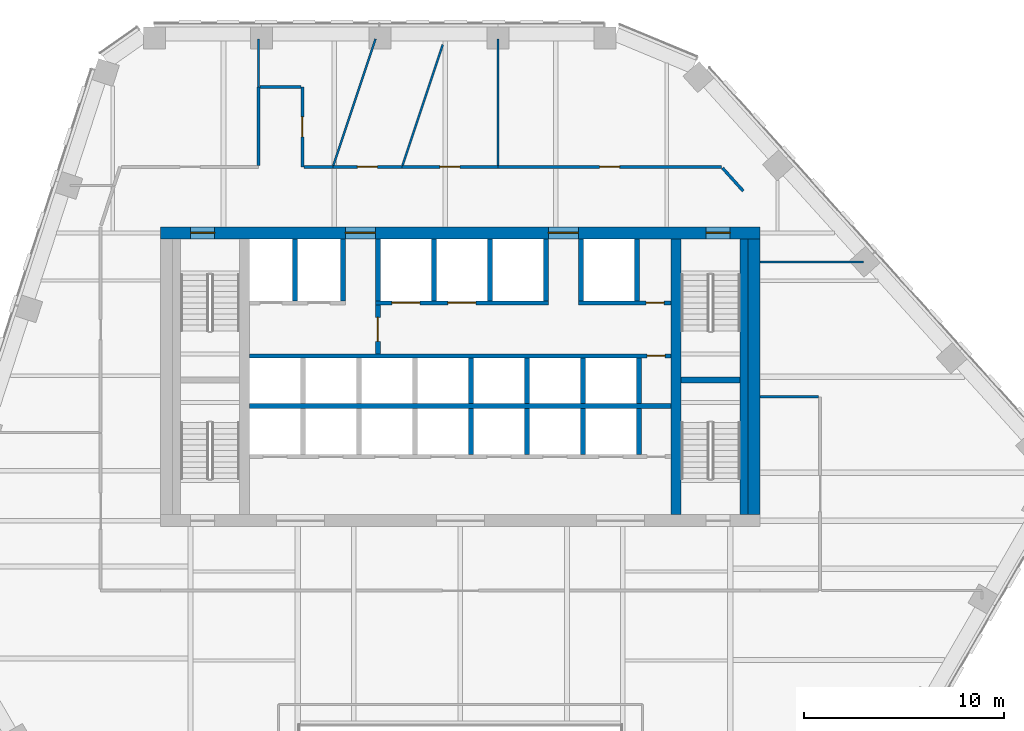
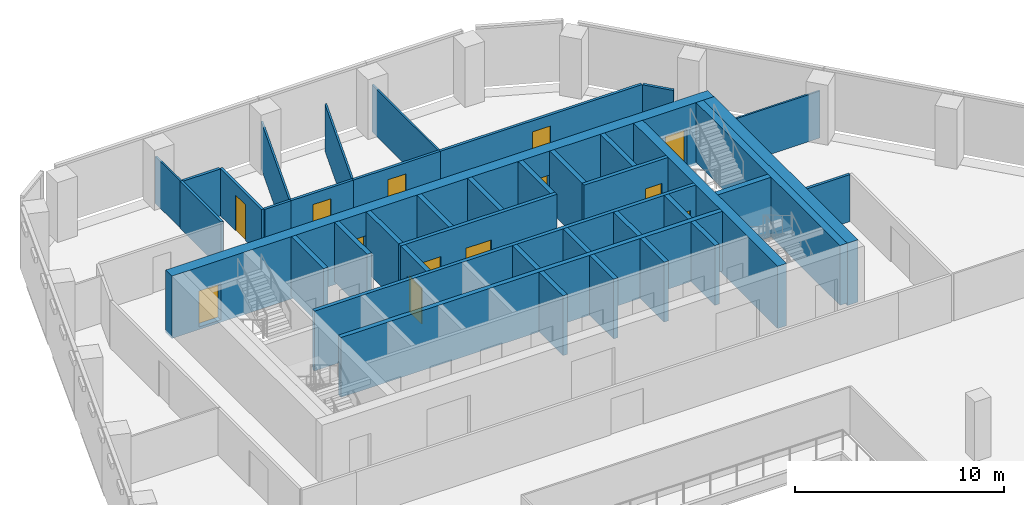
# One storey, part 10 of 16: 40 walls, 13 doors, 13 openings.
"""IFC4 building model written with IfcOpenShell, lengths in metres."""

from ifc_helpers import new_model, si_unit, direction, frame, frame_2d, origin, place, context, subcontext, project, spatial, rectangle, extrude, material, layer, layer_set, type_object, element, fill, save


model = new_model("IFC4")

# Units and contexts
model_context = context("Model", 3, precision=1e-05, world=origin(), true_north=direction((0.0, 1.0)))
body_context = subcontext(model_context, "Body", "Model", "MODEL_VIEW")
ifc_project = project(units=[si_unit("LENGTHUNIT", "METRE"), si_unit("AREAUNIT", "SQUARE_METRE"), si_unit("VOLUMEUNIT", "CUBIC_METRE"), si_unit("PLANEANGLEUNIT", "RADIAN"), si_unit("MASSUNIT", "GRAM", prefix="KILO")], contexts=[model_context])

# Site, building, storey
site_placement = place(None, origin())
site = spatial("IfcSite", under=ifc_project, at=site_placement, CompositionType="ELEMENT")
building_placement = place(site_placement, origin())
building = spatial("IfcBuilding", under=site, at=building_placement, Name="Isthmus Gate Tower", CompositionType="ELEMENT")
storey_placement = place(building_placement, frame((0.0, 0.0, 216.300048828125)))
storey = spatial("IfcBuildingStorey", under=building, at=storey_placement, Name="L54", CompositionType="ELEMENT", Elevation=216.300048828125)

# Wall, opening, door
ifc_material_1 = material(Name="Gypsum board on steel studs, fire-rated", Category="steel")
ifc_layer_1 = layer(ifc_material_1, 0.14990234375)
ifc_layer_set_1 = layer_set([ifc_layer_1], Name="CORRIDOR WALL 150 60 MIN")
wall_type_1 = type_object("IfcWallType", Name="CORRIDOR WALL 150 60 MIN", PredefinedType="PARTITIONING", material=ifc_layer_set_1)
wall_1_placement = place(storey_placement, frame((-7.89990234375, 22.0, 0.0), z_axis=(0.0, 0.0, 1.0), x_axis=(0.0, -1.0, 0.0)))
wall_1 = element("IfcWall", 1, at=wall_1_placement, inside=storey, type_object=wall_type_1, Name="L54 Corridor Wall 150 60 Min", PredefinedType="PARTITIONING", context=body_context, shape_type="SweptSolid", body=[
    extrude(rectangle(XDim=4.0, YDim=0.14990234375, at=frame_2d((2.0, 0.0))), origin(), (0.0, 0.0, 1.0), 2.750732421875),
])
opening_1_placement = place(wall_1_placement, frame((1.5, 0.0, 0.0)))
opening_1 = element("IfcOpeningElement", 2, at=opening_1_placement, cuts=wall_1, Name="Opening DT-T5A-09", PredefinedType="OPENING", context=body_context, shape_type="SweptSolid", body=[
    extrude(rectangle(XDim=1.0, YDim=2.10009765625, at=frame_2d((0.5, 1.050048828125))), frame((0.0, 0.0849609375, 0.0), z_axis=(0.0, -1.0, 0.0), x_axis=(1.0, 0.0, 0.0)), (0.0, 0.0, 1.0), 0.169921875),
])
ifc_material_2 = material(Name="Solid core timber door leaf, fire-rated", Category="wood")
door_type_1 = type_object("IfcDoorType", Name="FIRE DOOR ROOM 1000 X 2100 60 MIN", OperationType="SINGLE_SWING_LEFT", PredefinedType="DOOR", material=ifc_material_2)
door_1_placement = place(opening_1_placement, origin())
door_1 = element("IfcDoor", 3, at=door_1_placement, inside=storey, type_object=door_type_1, Name="L54 room door", OperationType="SINGLE_SWING_RIGHT", OverallHeight=2.10009765625, OverallWidth=1.0, PredefinedType="DOOR", context=body_context, shape_type="SweptSolid", body=[
    extrude(rectangle(XDim=1.0, YDim=2.10009765625, at=frame_2d((0.5, 1.050048828125))), frame((0.0, 0.02490234375, 0.0), z_axis=(0.0, -1.0, 0.0), x_axis=(1.0, 0.0, 0.0)), (0.0, 0.0, 1.0), 0.050048828125),
])
fill(opening_1, door_1)

# Wall
wall_2_placement = place(storey_placement, frame((-10.10009765625, 18.074951171875, 0.0), z_axis=(0.0, 0.0, 1.0), x_axis=(0.0, 1.0, 0.0)))
element("IfcWall", 4, at=wall_2_placement, inside=storey, type_object=wall_type_1, Name="L54 Corridor Wall 150 60 Min", PredefinedType="PARTITIONING", context=body_context, shape_type="SweptSolid", body=[
    extrude(rectangle(XDim=3.925048828125, YDim=0.14990234375, at=frame_2d((1.96240234375, 0.0))), origin(), (0.0, 0.0, 1.0), 2.750732421875),
])

# Wall, opening, door
wall_3_placement = place(storey_placement, frame((1.881103515625, 18.0, 0.0), z_axis=(0.0, 0.0, 1.0), x_axis=(1.0, 0.0, 0.0)))
wall_3 = element("IfcWall", 5, at=wall_3_placement, inside=storey, type_object=wall_type_1, Name="L54 Corridor Wall 150 60 Min", PredefinedType="PARTITIONING", context=body_context, shape_type="SweptSolid", body=[
    extrude(rectangle(XDim=11.183837890625, YDim=0.14990234375, at=frame_2d((5.591796875, 0.0))), origin(), (0.0, 0.0, 1.0), 2.750732421875),
])
opening_2_placement = place(wall_3_placement, frame((5.092041015625, 0.0, 0.0)))
opening_2 = element("IfcOpeningElement", 6, at=opening_2_placement, cuts=wall_3, Name="Opening DT-T5A-02", PredefinedType="OPENING", context=body_context, shape_type="SweptSolid", body=[
    extrude(rectangle(XDim=1.0, YDim=2.10009765625, at=frame_2d((0.5, 1.050048828125))), frame((0.0, 0.0849609375, 0.0), z_axis=(0.0, -1.0, 0.0), x_axis=(1.0, 0.0, 0.0)), (0.0, 0.0, 1.0), 0.169921875),
])
door_2_placement = place(opening_2_placement, origin())
door_2 = element("IfcDoor", 7, at=door_2_placement, inside=storey, type_object=door_type_1, Name="L54 room door", OperationType="SINGLE_SWING_RIGHT", OverallHeight=2.10009765625, OverallWidth=1.0, PredefinedType="DOOR", context=body_context, shape_type="SweptSolid", body=[
    extrude(rectangle(XDim=1.0, YDim=2.10009765625, at=frame_2d((0.5, 1.050048828125))), frame((0.0, 0.02490234375, 0.0), z_axis=(0.0, -1.0, 0.0), x_axis=(1.0, 0.0, 0.0)), (0.0, 0.0, 1.0), 0.050048828125),
])
fill(opening_2, door_2)

# Walls
wall_4_placement = place(storey_placement, frame((13.115234375, 17.9443359375, 0.0), z_axis=(0.0, 0.0, 1.0), x_axis=(0.669270047653, -0.74301924828, 0.0)))
element("IfcWall", 8, at=wall_4_placement, inside=storey, type_object=wall_type_1, Name="L54 Corridor Wall 150 60 Min", PredefinedType="PARTITIONING", context=body_context, shape_type="SweptSolid", body=[
    extrude(rectangle(XDim=1.5458984375, YDim=0.14990234375, at=frame_2d((0.77294921875, 0.0))), origin(), (0.0, 0.0, 1.0), 2.750732421875),
])
wall_5_placement = place(storey_placement, frame((15.0, 6.5, 0.0), z_axis=(0.0, 0.0, 1.0), x_axis=(1.0, 0.0, 0.0)))
element("IfcWall", 9, at=wall_5_placement, inside=storey, type_object=wall_type_1, Name="L54 Corridor Wall 150 60 Min", PredefinedType="PARTITIONING", context=body_context, shape_type="SweptSolid", body=[
    extrude(rectangle(XDim=2.925048828125, YDim=0.14990234375, at=frame_2d((1.46240234375, 0.0))), origin(), (0.0, 0.0, 1.0), 2.750732421875),
])

# Wall, opening, door
wall_6_placement = place(storey_placement, frame((-2.919921875, 18.0, 0.0), z_axis=(0.0, 0.0, 1.0), x_axis=(1.0, 0.0, 0.0)))
wall_6 = element("IfcWall", 10, at=wall_6_placement, inside=storey, type_object=wall_type_1, Name="L54 Corridor Wall 150 60 Min", PredefinedType="PARTITIONING", context=body_context, shape_type="SweptSolid", body=[
    extrude(rectangle(XDim=4.801025390625, YDim=0.14990234375, at=frame_2d((2.400390625, 0.0))), origin(), (0.0, 0.0, 1.0), 2.750732421875),
])
opening_3_placement = place(wall_6_placement, frame((1.900390625, 0.0, 0.0)))
opening_3 = element("IfcOpeningElement", 11, at=opening_3_placement, cuts=wall_6, Name="Opening DT-T5A-07", PredefinedType="OPENING", context=body_context, shape_type="SweptSolid", body=[
    extrude(rectangle(XDim=1.0, YDim=2.10009765625, at=frame_2d((0.5, 1.050048828125))), frame((0.0, 0.0849609375, 0.0), z_axis=(0.0, -1.0, 0.0), x_axis=(1.0, 0.0, 0.0)), (0.0, 0.0, 1.0), 0.169921875),
])
door_3_placement = place(opening_3_placement, origin())
door_3 = element("IfcDoor", 12, at=door_3_placement, inside=storey, type_object=door_type_1, Name="L54 room door", OperationType="SINGLE_SWING_RIGHT", OverallHeight=2.10009765625, OverallWidth=1.0, PredefinedType="DOOR", context=body_context, shape_type="SweptSolid", body=[
    extrude(rectangle(XDim=1.0, YDim=2.10009765625, at=frame_2d((0.5, 1.050048828125))), frame((0.0, 0.02490234375, 0.0), z_axis=(0.0, -1.0, 0.0), x_axis=(1.0, 0.0, 0.0)), (0.0, 0.0, 1.0), 0.050048828125),
])
fill(opening_3, door_3)

wall_7_placement = place(storey_placement, frame((-6.382080078125, 18.0, 0.0), z_axis=(0.0, 0.0, 1.0), x_axis=(1.0, 0.0, 0.0)))
wall_7 = element("IfcWall", 13, at=wall_7_placement, inside=storey, type_object=wall_type_1, Name="L54 Corridor Wall 150 60 Min", PredefinedType="PARTITIONING", context=body_context, shape_type="SweptSolid", body=[
    extrude(rectangle(XDim=3.462158203125, YDim=0.14990234375, at=frame_2d((1.73095703125, 0.0))), origin(), (0.0, 0.0, 1.0), 2.750732421875),
])
opening_4_placement = place(wall_7_placement, frame((1.23095703125, 0.0, 0.0)))
opening_4 = element("IfcOpeningElement", 14, at=opening_4_placement, cuts=wall_7, Name="Opening DT-T5A-08", PredefinedType="OPENING", context=body_context, shape_type="SweptSolid", body=[
    extrude(rectangle(XDim=1.0, YDim=2.10009765625, at=frame_2d((0.5, 1.050048828125))), frame((0.0, 0.0849609375, 0.0), z_axis=(0.0, -1.0, 0.0), x_axis=(1.0, 0.0, 0.0)), (0.0, 0.0, 1.0), 0.169921875),
])
door_4_placement = place(opening_4_placement, origin())
door_4 = element("IfcDoor", 15, at=door_4_placement, inside=storey, type_object=door_type_1, Name="L54 room door", OperationType="SINGLE_SWING_RIGHT", OverallHeight=2.10009765625, OverallWidth=1.0, PredefinedType="DOOR", context=body_context, shape_type="SweptSolid", body=[
    extrude(rectangle(XDim=1.0, YDim=2.10009765625, at=frame_2d((0.5, 1.050048828125))), frame((0.0, 0.02490234375, 0.0), z_axis=(0.0, -1.0, 0.0), x_axis=(1.0, 0.0, 0.0)), (0.0, 0.0, 1.0), 0.050048828125),
])
fill(opening_4, door_4)

# Walls
wall_8_placement = place(storey_placement, frame((-10.02490234375, 22.0, 0.0), z_axis=(0.0, 0.0, 1.0), x_axis=(1.0, 0.0, 0.0)))
element("IfcWall", 16, at=wall_8_placement, inside=storey, type_object=wall_type_1, Name="L54 Corridor Wall 150 60 Min", PredefinedType="PARTITIONING", context=body_context, shape_type="SweptSolid", body=[
    extrude(rectangle(XDim=2.0498046875, YDim=0.14990234375, at=frame_2d((1.02490234375, 0.0))), origin(), (0.0, 0.0, 1.0), 2.750732421875),
])
wall_9_placement = place(storey_placement, frame((-7.824951171875, 18.0, 0.0), z_axis=(0.0, 0.0, 1.0), x_axis=(1.0, 0.0, 0.0)))
element("IfcWall", 17, at=wall_9_placement, inside=storey, type_object=wall_type_1, Name="L54 Corridor Wall 150 60 Min", PredefinedType="PARTITIONING", context=body_context, shape_type="SweptSolid", body=[
    extrude(rectangle(XDim=1.44287109375, YDim=0.14990234375, at=frame_2d((0.721435546875, 0.0))), origin(), (0.0, 0.0, 1.0), 2.750732421875),
])

# Wall, opening, door
ifc_material_3 = material(Name="Fire-rated blockwork masonry, 15 MPa", Category="masonry")
ifc_layer_2 = layer(ifc_material_3, 0.25)
ifc_layer_set_2 = layer_set([ifc_layer_2], Name="FIRE-FIGHTING LOBBY WALL 250 90 MIN")
wall_type_2 = type_object("IfcWallType", Name="FIRE-FIGHTING LOBBY WALL 250 90 MIN", PredefinedType="PARTITIONING", material=ifc_layer_set_2)
wall_10_placement = place(storey_placement, frame((-4.125, 8.64990234375, 0.0), z_axis=(0.0, 0.0, 1.0), x_axis=(0.0, 1.0, 0.0)))
wall_10 = element("IfcWall", 18, at=wall_10_placement, inside=storey, type_object=wall_type_2, Name="L54 FIRE-FIGHTING LOBBY WALL 250 90 MIN", PredefinedType="PARTITIONING", context=body_context, shape_type="SweptSolid", body=[
    extrude(rectangle(XDim=2.4501953125, YDim=0.25, at=frame_2d((1.22509765625, 0.0))), origin(), (0.0, 0.0, 1.0), 3.5),
])
opening_5_placement = place(wall_10_placement, frame((0.625, 0.0, 0.0)))
opening_5 = element("IfcOpeningElement", 19, at=opening_5_placement, cuts=wall_10, Name="Opening DC-A16-01", PredefinedType="OPENING", context=body_context, shape_type="SweptSolid", body=[
    extrude(rectangle(XDim=1.199951171875, YDim=2.10009765625, at=frame_2d((0.60009765625, 1.050048828125))), frame((0.0, 0.135009765625, 0.0), z_axis=(0.0, -1.0, 0.0), x_axis=(1.0, 0.0, 0.0)), (0.0, 0.0, 1.0), 0.27001953125),
])
ifc_material_4 = material(Name="Steel door leaf, fire-rated", Category="steel")
door_type_2 = type_object("IfcDoorType", Name="LOBBY FIRE DOOR 1200 X 2100 90 MIN", OperationType="DOUBLE_DOOR_SINGLE_SWING", PredefinedType="DOOR", material=ifc_material_4)
door_5_placement = place(opening_5_placement, origin())
door_5 = element("IfcDoor", 20, at=door_5_placement, inside=storey, type_object=door_type_2, Name="Fire-fighting Lobby Door", OperationType="SINGLE_SWING_LEFT", OverallHeight=2.10009765625, OverallWidth=1.199951171875, PredefinedType="DOOR", context=body_context, shape_type="SweptSolid", body=[
    extrude(rectangle(XDim=1.199951171875, YDim=2.10009765625, at=frame_2d((0.60009765625, 1.050048828125))), frame((0.0, 0.02490234375, 0.0), z_axis=(0.0, -1.0, 0.0), x_axis=(1.0, 0.0, 0.0)), (0.0, 0.0, 1.0), 0.050048828125),
])
fill(opening_5, door_5)

# Wall
ifc_material_5 = material(Name="Concrete f'c 50 MPa", Category="concrete")
ifc_layer_3 = layer(ifc_material_5, 0.5)
ifc_layer_set_3 = layer_set([ifc_layer_3], Name="RC CORE SPINE WALL 500 F'C 50")
wall_type_3 = type_object("IfcWallType", Name="RC CORE SPINE WALL 500 F'C 50", PredefinedType="SOLIDWALL", material=ifc_layer_set_3)
wall_11_placement = place(storey_placement, frame((10.800048828125, 0.60009765625, -0.150146484375), z_axis=(0.0, 0.0, 1.0), x_axis=(0.0, 1.0, 0.0)))
element("IfcWall", 21, at=wall_11_placement, inside=storey, type_object=wall_type_3, Name="str-corewall-L54-SPE", PredefinedType="SOLIDWALL", context=body_context, shape_type="SweptSolid", body=[
    extrude(rectangle(XDim=13.7998046875, YDim=0.5, at=frame_2d((6.89990234375, 0.0))), origin(), (0.0, 0.0, 1.0), 3.650146484375),
])

# Wall, openings, doors
ifc_material_6 = material(Name="Concrete f'c 50 MPa", Category="concrete")
ifc_layer_4 = layer(ifc_material_6, 0.60009765625)
ifc_layer_set_4 = layer_set([ifc_layer_4], Name="RC CORE WALL 600 F'C 50")
wall_type_4 = type_object("IfcWallType", Name="RC CORE WALL 600 F'C 50", PredefinedType="SOLIDWALL", material=ifc_layer_set_4)
wall_12_placement = place(storey_placement, frame((-15.0, 14.699951171875, -0.150146484375), z_axis=(0.0, 0.0, 1.0), x_axis=(1.0, 0.0, 0.0)))
wall_12 = element("IfcWall", 22, at=wall_12_placement, inside=storey, type_object=wall_type_4, Name="str-corewall-L54-N", PredefinedType="SOLIDWALL", context=body_context, shape_type="SweptSolid", body=[
    extrude(rectangle(XDim=30.0, YDim=0.60009765625, at=frame_2d((15.0, 0.0))), origin(), (0.0, 0.0, 1.0), 3.650146484375),
])
opening_6_placement = place(wall_12_placement, frame((9.25, 0.0, 0.14990234375)))
opening_6 = element("IfcOpeningElement", 23, at=opening_6_placement, cuts=wall_12, Name="Opening DC-A16-08", PredefinedType="OPENING", context=body_context, shape_type="SweptSolid", body=[
    extrude(rectangle(XDim=1.5, YDim=2.10009765625, at=frame_2d((0.75, 1.050048828125))), frame((0.0, 0.31005859375, 0.0), z_axis=(0.0, -1.0, 0.0), x_axis=(1.0, 0.0, 0.0)), (0.0, 0.0, 1.0), 0.6201171875),
])
opening_7_placement = place(wall_12_placement, frame((19.39990234375, 0.0, 0.14990234375)))
opening_7 = element("IfcOpeningElement", 24, at=opening_7_placement, cuts=wall_12, Name="Opening DC-A16-09", PredefinedType="OPENING", context=body_context, shape_type="SweptSolid", body=[
    extrude(rectangle(XDim=1.5, YDim=2.10009765625, at=frame_2d((0.75, 1.050048828125))), frame((0.0, 0.31005859375, 0.0), z_axis=(0.0, -1.0, 0.0), x_axis=(1.0, 0.0, 0.0)), (0.0, 0.0, 1.0), 0.6201171875),
])
opening_8_placement = place(wall_12_placement, frame((1.5, 0.0, 0.14990234375)))
opening_8 = element("IfcOpeningElement", 25, at=opening_8_placement, cuts=wall_12, Name="Opening DC-A16-10", PredefinedType="OPENING", context=body_context, shape_type="SweptSolid", body=[
    extrude(rectangle(XDim=1.199951171875, YDim=2.10009765625, at=frame_2d((0.60009765625, 1.050048828125))), frame((0.0, 0.31005859375, 0.0), z_axis=(0.0, -1.0, 0.0), x_axis=(1.0, 0.0, 0.0)), (0.0, 0.0, 1.0), 0.6201171875),
])
opening_9_placement = place(wall_12_placement, frame((27.300048828125, 0.0, 0.14990234375)))
opening_9 = element("IfcOpeningElement", 26, at=opening_9_placement, cuts=wall_12, Name="Opening DC-A16-11", PredefinedType="OPENING", context=body_context, shape_type="SweptSolid", body=[
    extrude(rectangle(XDim=1.199951171875, YDim=2.10009765625, at=frame_2d((0.60009765625, 1.050048828125))), frame((0.0, 0.31005859375, 0.0), z_axis=(0.0, -1.0, 0.0), x_axis=(1.0, 0.0, 0.0)), (0.0, 0.0, 1.0), 0.6201171875),
])
ifc_material_7 = material(Name="Steel door leaf, fire-rated", Category="steel")
door_type_3 = type_object("IfcDoorType", Name="LOBBY FIRE DOOR 1500 X 2100 60 MIN", OperationType="DOUBLE_DOOR_SINGLE_SWING", PredefinedType="DOOR", material=ifc_material_7)
door_6_placement = place(opening_7_placement, origin())
door_6 = element("IfcDoor", 27, at=door_6_placement, inside=storey, type_object=door_type_3, Name="Lobby Door PN-E", OperationType="DOUBLE_DOOR_SINGLE_SWING", OverallHeight=2.10009765625, OverallWidth=1.5, PredefinedType="DOOR", context=body_context, shape_type="SweptSolid", body=[
    extrude(rectangle(XDim=1.5, YDim=2.10009765625, at=frame_2d((0.75, 1.050048828125))), frame((0.0, 0.02490234375, 0.0), z_axis=(0.0, -1.0, 0.0), x_axis=(1.0, 0.0, 0.0)), (0.0, 0.0, 1.0), 0.050048828125),
])
fill(opening_7, door_6)
ifc_material_8 = material(Name="Steel door leaf, fire-rated", Category="steel")
door_type_4 = type_object("IfcDoorType", Name="LOBBY FIRE DOOR 1500 X 2100 90 MIN", OperationType="DOUBLE_DOOR_SINGLE_SWING", PredefinedType="DOOR", material=ifc_material_8)
door_7_placement = place(opening_6_placement, origin())
door_7 = element("IfcDoor", 28, at=door_7_placement, inside=storey, type_object=door_type_4, Name="Lobby Door PN-W", OperationType="DOUBLE_DOOR_SINGLE_SWING", OverallHeight=2.10009765625, OverallWidth=1.5, PredefinedType="DOOR", context=body_context, shape_type="SweptSolid", body=[
    extrude(rectangle(XDim=1.5, YDim=2.10009765625, at=frame_2d((0.75, 1.050048828125))), frame((0.0, 0.02490234375, 0.0), z_axis=(0.0, -1.0, 0.0), x_axis=(1.0, 0.0, 0.0)), (0.0, 0.0, 1.0), 0.050048828125),
])
fill(opening_6, door_7)
ifc_material_9 = material(Name="Steel door leaf, fire-rated", Category="steel")
door_type_5 = type_object("IfcDoorType", Name="STAIR FIRE DOOR 1200 X 2100 90 MIN", OperationType="SINGLE_SWING_LEFT", PredefinedType="DOOR", material=ifc_material_9)
door_8_placement = place(opening_8_placement, origin())
door_8 = element("IfcDoor", 29, at=door_8_placement, inside=storey, type_object=door_type_5, Name="Exit Stair 1 Door", OperationType="SINGLE_SWING_RIGHT", OverallHeight=2.10009765625, OverallWidth=1.199951171875, PredefinedType="DOOR", context=body_context, shape_type="SweptSolid", body=[
    extrude(rectangle(XDim=1.199951171875, YDim=2.10009765625, at=frame_2d((0.60009765625, 1.050048828125))), frame((0.0, 0.02490234375, 0.0), z_axis=(0.0, -1.0, 0.0), x_axis=(1.0, 0.0, 0.0)), (0.0, 0.0, 1.0), 0.050048828125),
])
fill(opening_8, door_8)
door_9_placement = place(opening_9_placement, origin())
door_9 = element("IfcDoor", 30, at=door_9_placement, inside=storey, type_object=door_type_5, Name="Exit Stair 2 Door", OperationType="SINGLE_SWING_LEFT", OverallHeight=2.10009765625, OverallWidth=1.199951171875, PredefinedType="DOOR", context=body_context, shape_type="SweptSolid", body=[
    extrude(rectangle(XDim=1.199951171875, YDim=2.10009765625, at=frame_2d((0.60009765625, 1.050048828125))), frame((0.0, 0.02490234375, 0.0), z_axis=(0.0, -1.0, 0.0), x_axis=(1.0, 0.0, 0.0)), (0.0, 0.0, 1.0), 0.050048828125),
])
fill(opening_9, door_9)

# Walls
wall_13_placement = place(storey_placement, frame((14.699951171875, 0.60009765625, -0.150146484375), z_axis=(0.0, 0.0, 1.0), x_axis=(0.0, 1.0, 0.0)))
element("IfcWall", 31, at=wall_13_placement, inside=storey, type_object=wall_type_4, Name="str-corewall-L54-E", PredefinedType="SOLIDWALL", context=body_context, shape_type="SweptSolid", body=[
    extrude(rectangle(XDim=13.7998046875, YDim=0.60009765625, at=frame_2d((6.89990234375, 0.0))), origin(), (0.0, 0.0, 1.0), 3.650146484375),
])
ifc_material_10 = material(Name="Gypsum board on steel studs, fire-rated", Category="steel")
ifc_layer_5 = layer(ifc_material_10, 0.10009765625)
ifc_layer_set_5 = layer_set([ifc_layer_5], Name="ROOM PARTITION 100 30 MIN")
wall_type_5 = type_object("IfcWallType", Name="ROOM PARTITION 100 30 MIN", PredefinedType="PARTITIONING", material=ifc_layer_set_5)
wall_14_placement = place(storey_placement, frame((-10.10205078125, 22.0, 0.0), z_axis=(0.0, 0.0, 1.0), x_axis=(0.0, 1.0, 0.0)))
element("IfcWall", 32, at=wall_14_placement, inside=storey, type_object=wall_type_5, Name="L54 Room Partition 100 30 Min", PredefinedType="PARTITIONING", context=body_context, shape_type="SweptSolid", body=[
    extrude(rectangle(XDim=2.39990234375, YDim=0.10009765625, at=frame_2d((1.199951171875, 0.0))), origin(), (0.0, 0.0, 1.0), 2.750732421875),
])
wall_15_placement = place(storey_placement, frame((15.0, 13.251953125, 0.0), z_axis=(0.0, 0.0, 1.0), x_axis=(1.0, 0.0, 0.0)))
element("IfcWall", 33, at=wall_15_placement, inside=storey, type_object=wall_type_5, Name="L54 Room Partition 100 30 Min", PredefinedType="PARTITIONING", context=body_context, shape_type="SweptSolid", body=[
    extrude(rectangle(XDim=5.166015625, YDim=0.10009765625, at=frame_2d((2.5830078125, 0.0))), origin(), (0.0, 0.0, 1.0), 2.750732421875),
])
wall_16_placement = place(storey_placement, frame((1.881103515625, 18.074951171875, 0.0), z_axis=(0.0, 0.0, 1.0), x_axis=(0.0, 1.0, 0.0)))
element("IfcWall", 34, at=wall_16_placement, inside=storey, type_object=wall_type_5, Name="L54 Room Partition 100 30 Min", PredefinedType="PARTITIONING", context=body_context, shape_type="SweptSolid", body=[
    extrude(rectangle(XDim=6.324951171875, YDim=0.10009765625, at=frame_2d((3.16259765625, 0.0))), origin(), (0.0, 0.0, 1.0), 2.750732421875),
])
wall_17_placement = place(storey_placement, frame((-2.896240234375, 18.071044921875, 0.0), z_axis=(0.0, 0.0, 1.0), x_axis=(0.316721942661, 0.948518429466, 0.0)))
element("IfcWall", 35, at=wall_17_placement, inside=storey, type_object=wall_type_5, Name="L54 Room Partition 100 30 Min", PredefinedType="PARTITIONING", context=body_context, shape_type="SweptSolid", body=[
    extrude(rectangle(XDim=6.37255859375, YDim=0.10009765625, at=frame_2d((3.186279296875, 0.0))), origin(), (0.0, 0.0, 1.0), 2.750732421875),
])
wall_18_placement = place(storey_placement, frame((-6.358154296875, 18.071044921875, 0.0), z_axis=(0.0, 0.0, 1.0), x_axis=(0.316688766046, 0.9485295069, 0.0)))
element("IfcWall", 36, at=wall_18_placement, inside=storey, type_object=wall_type_5, Name="L54 Room Partition 100 30 Min", PredefinedType="PARTITIONING", context=body_context, shape_type="SweptSolid", body=[
    extrude(rectangle(XDim=6.67236328125, YDim=0.10009765625, at=frame_2d((3.336181640625, 0.0))), origin(), (0.0, 0.0, 1.0), 2.750732421875),
])

# Wall, opening, door
ifc_material_11 = material(Name="Fire-rated blockwork masonry, 15 MPa", Category="masonry")
ifc_layer_6 = layer(ifc_material_11, 0.199951171875)
ifc_layer_set_6 = layer_set([ifc_layer_6], Name="SHAFT FRONT WALL 200 120 MIN")
wall_type_6 = type_object("IfcWallType", Name="SHAFT FRONT WALL 200 120 MIN", PredefinedType="PARTITIONING", material=ifc_layer_set_6)
wall_19_placement = place(storey_placement, frame((-10.550048828125, 8.550048828125, 0.0), z_axis=(0.0, 0.0, 1.0), x_axis=(1.0, 0.0, 0.0)))
wall_19 = element("IfcWall", 37, at=wall_19_placement, inside=storey, type_object=wall_type_6, Name="L54 SHAFT FRONT WALL 200 120 MIN", PredefinedType="PARTITIONING", context=body_context, shape_type="SweptSolid", body=[
    extrude(rectangle(XDim=21.10009765625, YDim=0.199951171875, at=frame_2d((10.550048828125, 0.0))), origin(), (0.0, 0.0, 1.0), 3.5),
])
opening_10_placement = place(wall_19_placement, frame((19.89990234375, 0.0, 0.0)))
opening_10 = element("IfcOpeningElement", 38, at=opening_10_placement, cuts=wall_19, Name="Opening DC-A16-03", PredefinedType="OPENING", context=body_context, shape_type="SweptSolid", body=[
    extrude(rectangle(XDim=0.89990234375, YDim=2.10009765625, at=frame_2d((0.449951171875, 1.050048828125))), frame((0.0, 0.10986328125, 0.0), z_axis=(0.0, -1.0, 0.0), x_axis=(1.0, 0.0, 0.0)), (0.0, 0.0, 1.0), 0.219970703125),
])
ifc_material_12 = material(Name="Steel door leaf, fire-rated", Category="steel")
door_type_6 = type_object("IfcDoorType", Name="RISER FIRE DOOR 900 X 2100 90 MIN", OperationType="SINGLE_SWING_LEFT", PredefinedType="DOOR", material=ifc_material_12)
door_10_placement = place(opening_10_placement, origin())
door_10 = element("IfcDoor", 39, at=door_10_placement, inside=storey, type_object=door_type_6, Name="Riser Door", OperationType="SINGLE_SWING_RIGHT", OverallHeight=2.10009765625, OverallWidth=0.89990234375, PredefinedType="DOOR", context=body_context, shape_type="SweptSolid", body=[
    extrude(rectangle(XDim=0.89990234375, YDim=2.10009765625, at=frame_2d((0.449951171875, 1.050048828125))), frame((0.0, 0.02490234375, 0.0), z_axis=(0.0, -1.0, 0.0), x_axis=(1.0, 0.0, 0.0)), (0.0, 0.0, 1.0), 0.050048828125),
])
fill(opening_10, door_10)

# Wall, openings, doors
wall_20_placement = place(storey_placement, frame((-4.25, 11.199951171875, 0.0), z_axis=(0.0, 0.0, 1.0), x_axis=(1.0, 0.0, 0.0)))
wall_20 = element("IfcWall", 40, at=wall_20_placement, inside=storey, type_object=wall_type_6, Name="L54 SHAFT FRONT WALL 200 120 MIN", PredefinedType="PARTITIONING", context=body_context, shape_type="SweptSolid", body=[
    extrude(rectangle(XDim=8.64990234375, YDim=0.199951171875, at=frame_2d((4.324951171875, 0.0))), origin(), (0.0, 0.0, 1.0), 3.5),
])
opening_11_placement = place(wall_20_placement, frame((0.824951171875, 0.0, 0.0)))
opening_11 = element("IfcOpeningElement", 41, at=opening_11_placement, cuts=wall_20, Name="Opening LD-LV1", PredefinedType="OPENING", context=body_context, shape_type="SweptSolid", body=[
    extrude(rectangle(XDim=1.39990234375, YDim=2.10009765625, at=frame_2d((0.699951171875, 1.050048828125))), frame((0.0, 0.10986328125, 0.0), z_axis=(0.0, -1.0, 0.0), x_axis=(1.0, 0.0, 0.0)), (0.0, 0.0, 1.0), 0.219970703125),
])
opening_12_placement = place(wall_20_placement, frame((3.625, 0.0, 0.0)))
opening_12 = element("IfcOpeningElement", 42, at=opening_12_placement, cuts=wall_20, Name="Opening LD-LV2", PredefinedType="OPENING", context=body_context, shape_type="SweptSolid", body=[
    extrude(rectangle(XDim=1.39990234375, YDim=2.10009765625, at=frame_2d((0.699951171875, 1.050048828125))), frame((0.0, 0.10986328125, 0.0), z_axis=(0.0, -1.0, 0.0), x_axis=(1.0, 0.0, 0.0)), (0.0, 0.0, 1.0), 0.219970703125),
])
ifc_material_13 = material(Name="Stainless steel sliding leaf", Category="steel")
door_type_7 = type_object("IfcDoorType", Name="LIFT LANDING FIRE DOOR 1400 X 2100 90 MIN", OperationType="DOUBLE_DOOR_SLIDING", PredefinedType="DOOR", material=ifc_material_13)
door_11_placement = place(opening_11_placement, origin())
door_11 = element("IfcDoor", 43, at=door_11_placement, inside=storey, type_object=door_type_7, Name="Lift Landing Door LV1", OperationType="DOUBLE_DOOR_SLIDING", OverallHeight=2.10009765625, OverallWidth=1.39990234375, PredefinedType="DOOR", context=body_context, shape_type="SweptSolid", body=[
    extrude(rectangle(XDim=1.39990234375, YDim=2.10009765625, at=frame_2d((0.699951171875, 1.050048828125))), frame((0.0, 0.02490234375, 0.0), z_axis=(0.0, -1.0, 0.0), x_axis=(1.0, 0.0, 0.0)), (0.0, 0.0, 1.0), 0.050048828125),
])
fill(opening_11, door_11)
door_12_placement = place(opening_12_placement, origin())
door_12 = element("IfcDoor", 44, at=door_12_placement, inside=storey, type_object=door_type_7, Name="Lift Landing Door LV2", OperationType="DOUBLE_DOOR_SLIDING", OverallHeight=2.10009765625, OverallWidth=1.39990234375, PredefinedType="DOOR", context=body_context, shape_type="SweptSolid", body=[
    extrude(rectangle(XDim=1.39990234375, YDim=2.10009765625, at=frame_2d((0.699951171875, 1.050048828125))), frame((0.0, 0.02490234375, 0.0), z_axis=(0.0, -1.0, 0.0), x_axis=(1.0, 0.0, 0.0)), (0.0, 0.0, 1.0), 0.050048828125),
])
fill(opening_12, door_12)

# Wall, opening, door
wall_21_placement = place(storey_placement, frame((5.89990234375, 11.199951171875, 0.0), z_axis=(0.0, 0.0, 1.0), x_axis=(1.0, 0.0, 0.0)))
wall_21 = element("IfcWall", 45, at=wall_21_placement, inside=storey, type_object=wall_type_6, Name="L54 SHAFT FRONT WALL 200 120 MIN", PredefinedType="PARTITIONING", context=body_context, shape_type="SweptSolid", body=[
    extrude(rectangle(XDim=4.650146484375, YDim=0.199951171875, at=frame_2d((2.3251953125, 0.0))), origin(), (0.0, 0.0, 1.0), 3.5),
])
opening_13_placement = place(wall_21_placement, frame((3.39990234375, 0.0, 0.0)))
opening_13 = element("IfcOpeningElement", 46, at=opening_13_placement, cuts=wall_21, Name="Opening DC-A16-04", PredefinedType="OPENING", context=body_context, shape_type="SweptSolid", body=[
    extrude(rectangle(XDim=0.89990234375, YDim=2.10009765625, at=frame_2d((0.449951171875, 1.050048828125))), frame((0.0, 0.10986328125, 0.0), z_axis=(0.0, -1.0, 0.0), x_axis=(1.0, 0.0, 0.0)), (0.0, 0.0, 1.0), 0.219970703125),
])
door_13_placement = place(opening_13_placement, origin())
door_13 = element("IfcDoor", 47, at=door_13_placement, inside=storey, type_object=door_type_6, Name="Riser Door", OperationType="SINGLE_SWING_LEFT", OverallHeight=2.10009765625, OverallWidth=0.89990234375, PredefinedType="DOOR", context=body_context, shape_type="SweptSolid", body=[
    extrude(rectangle(XDim=0.89990234375, YDim=2.10009765625, at=frame_2d((0.449951171875, 1.050048828125))), frame((0.0, 0.02490234375, 0.0), z_axis=(0.0, -1.0, 0.0), x_axis=(1.0, 0.0, 0.0)), (0.0, 0.0, 1.0), 0.050048828125),
])
fill(opening_13, door_13)

# Walls
ifc_material_14 = material(Name="Fire-rated blockwork masonry, 15 MPa", Category="masonry")
ifc_layer_7 = layer(ifc_material_14, 0.25)
ifc_layer_set_7 = layer_set([ifc_layer_7], Name="SHAFT WALL 250 120 MIN")
wall_type_7 = type_object("IfcWallType", Name="SHAFT WALL 250 120 MIN", PredefinedType="PARTITIONING", material=ifc_layer_set_7)
wall_22_placement = place(storey_placement, frame((-10.550048828125, 6.02490234375, 0.0), z_axis=(0.0, 0.0, 1.0), x_axis=(1.0, 0.0, 0.0)))
element("IfcWall", 48, at=wall_22_placement, inside=storey, type_object=wall_type_7, Name="L54 SHAFT WALL 250 120 MIN", PredefinedType="PARTITIONING", context=body_context, shape_type="SweptSolid", body=[
    extrude(rectangle(XDim=21.10009765625, YDim=0.25, at=frame_2d((10.550048828125, 0.0))), origin(), (0.0, 0.0, 1.0), 3.5),
])
for number, where, z_axis, x_axis, name in (
    (49, (0.52490234375, 3.60009765625, 0.0), (0.0, 0.0, 1.0), (0.0, 1.0, 0.0), "L54 SHAFT WALL 250 120 MIN"),
    (50, (3.324951171875, 3.60009765625, 0.0), (0.0, 0.0, 1.0), (0.0, 1.0, 0.0), "L54 SHAFT WALL 250 120 MIN"),
    (51, (6.125, 3.60009765625, 0.0), (0.0, 0.0, 1.0), (0.0, 1.0, 0.0), "L54 SHAFT WALL 250 120 MIN"),
    (52, (8.925048828125, 3.60009765625, 0.0), (0.0, 0.0, 1.0), (0.0, 1.0, 0.0), "L54 SHAFT WALL 250 120 MIN"),
):
    element("IfcWall", number, at=place(storey_placement, frame(where, z_axis=z_axis, x_axis=x_axis)), inside=storey, type_object=wall_type_7, Name=name, PredefinedType="PARTITIONING", context=body_context, shape_type="SweptSolid", body=[
        extrude(rectangle(XDim=2.2998046875, YDim=0.25, at=frame_2d((1.14990234375, 0.0))), origin(), (0.0, 0.0, 1.0), 3.5),
    ])
for number, where, z_axis, x_axis, name in (
    (53, (0.52490234375, 6.14990234375, 0.0), (0.0, 0.0, 1.0), (0.0, 1.0, 0.0), "L54 SHAFT WALL 250 120 MIN"),
    (54, (3.324951171875, 6.14990234375, 0.0), (0.0, 0.0, 1.0), (0.0, 1.0, 0.0), "L54 SHAFT WALL 250 120 MIN"),
    (55, (6.125, 6.14990234375, 0.0), (0.0, 0.0, 1.0), (0.0, 1.0, 0.0), "L54 SHAFT WALL 250 120 MIN"),
    (56, (8.925048828125, 6.14990234375, 0.0), (0.0, 0.0, 1.0), (0.0, 1.0, 0.0), "L54 SHAFT WALL 250 120 MIN"),
):
    element("IfcWall", number, at=place(storey_placement, frame(where, z_axis=z_axis, x_axis=x_axis)), inside=storey, type_object=wall_type_7, Name=name, PredefinedType="PARTITIONING", context=body_context, shape_type="SweptSolid", body=[
        extrude(rectangle(XDim=2.300048828125, YDim=0.25, at=frame_2d((1.14990234375, 0.0))), origin(), (0.0, 0.0, 1.0), 3.5),
    ])
for number, where, z_axis, x_axis, name in (
    (57, (-8.27490234375, 11.300048828125, 0.0), (0.0, 0.0, 1.0), (0.0, 1.0, 0.0), "L54 SHAFT WALL 250 120 MIN"),
    (58, (-5.875, 11.300048828125, 0.0), (0.0, 0.0, 1.0), (0.0, 1.0, 0.0), "L54 SHAFT WALL 250 120 MIN"),
    (59, (-4.125, 11.300048828125, 0.0), (0.0, 0.0, 1.0), (0.0, 1.0, 0.0), "L54 SHAFT WALL 250 120 MIN"),
    (60, (-1.324951171875, 11.300048828125, 0.0), (0.0, 0.0, 1.0), (0.0, 1.0, 0.0), "L54 SHAFT WALL 250 120 MIN"),
    (61, (1.47509765625, 11.300048828125, 0.0), (0.0, 0.0, 1.0), (0.0, 1.0, 0.0), "L54 SHAFT WALL 250 120 MIN"),
    (62, (4.27490234375, 11.300048828125, 0.0), (0.0, 0.0, 1.0), (0.0, 1.0, 0.0), "L54 SHAFT WALL 250 120 MIN"),
    (63, (6.02490234375, 11.300048828125, 0.0), (0.0, 0.0, 1.0), (0.0, 1.0, 0.0), "L54 SHAFT WALL 250 120 MIN"),
    (64, (8.824951171875, 11.300048828125, 0.0), (0.0, 0.0, 1.0), (0.0, 1.0, 0.0), "L54 SHAFT WALL 250 120 MIN"),
):
    element("IfcWall", number, at=place(storey_placement, frame(where, z_axis=z_axis, x_axis=x_axis)), inside=storey, type_object=wall_type_7, Name=name, PredefinedType="PARTITIONING", context=body_context, shape_type="SweptSolid", body=[
        extrude(rectangle(XDim=3.099853515625, YDim=0.25, at=frame_2d((1.5498046875, 0.0))), origin(), (0.0, 0.0, 1.0), 3.5),
    ])
ifc_material_15 = material(Name="Concrete f'c 40 MPa", Category="concrete")
ifc_layer_8 = layer(ifc_material_15, 0.300048828125)
ifc_layer_set_8 = layer_set([ifc_layer_8], Name="STAIR ENCLOSURE WALL 300 180 MIN")
wall_type_8 = type_object("IfcWallType", Name="STAIR ENCLOSURE WALL 300 180 MIN", PredefinedType="SOLIDWALL", material=ifc_layer_set_8)
wall_23_placement = place(storey_placement, frame((11.050048828125, 7.35009765625, 0.0), z_axis=(0.0, 0.0, 1.0), x_axis=(1.0, 0.0, 0.0)))
element("IfcWall", 65, at=wall_23_placement, inside=storey, type_object=wall_type_8, Name="L54 STAIR ENCLOSURE WALL 300 180 MIN", PredefinedType="SOLIDWALL", context=body_context, shape_type="SweptSolid", body=[
    extrude(rectangle(XDim=2.949951171875, YDim=0.300048828125, at=frame_2d((1.47509765625, 0.0))), origin(), (0.0, 0.0, 1.0), 3.5),
])
ifc_material_16 = material(Name="Concrete f'c 40 MPa", Category="concrete")
ifc_layer_9 = layer(ifc_material_16, 0.39990234375)
ifc_layer_set_9 = layer_set([ifc_layer_9], Name="STAIR ENCLOSURE WALL 400 180 MIN")
wall_type_9 = type_object("IfcWallType", Name="STAIR ENCLOSURE WALL 400 180 MIN", PredefinedType="SOLIDWALL", material=ifc_layer_set_9)
wall_24_placement = place(storey_placement, frame((14.199951171875, 0.60009765625, 0.0), z_axis=(0.0, 0.0, 1.0), x_axis=(0.0, 1.0, 0.0)))
element("IfcWall", 66, at=wall_24_placement, inside=storey, type_object=wall_type_9, Name="L54 STAIR ENCLOSURE WALL 400 180 MIN", PredefinedType="SOLIDWALL", context=body_context, shape_type="SweptSolid", body=[
    extrude(rectangle(XDim=13.7998046875, YDim=0.39990234375, at=frame_2d((6.89990234375, 0.0))), origin(), (0.0, 0.0, 1.0), 3.5),
])

save(model, "model.ifc")
